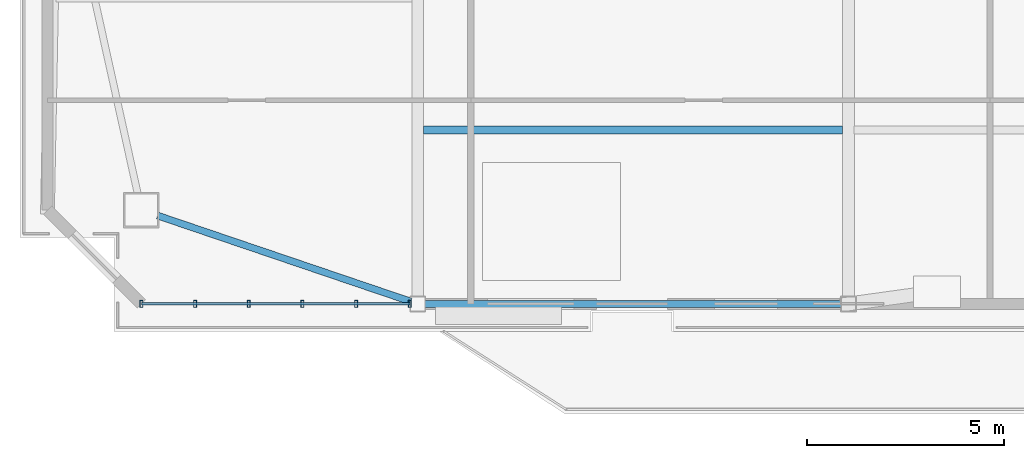
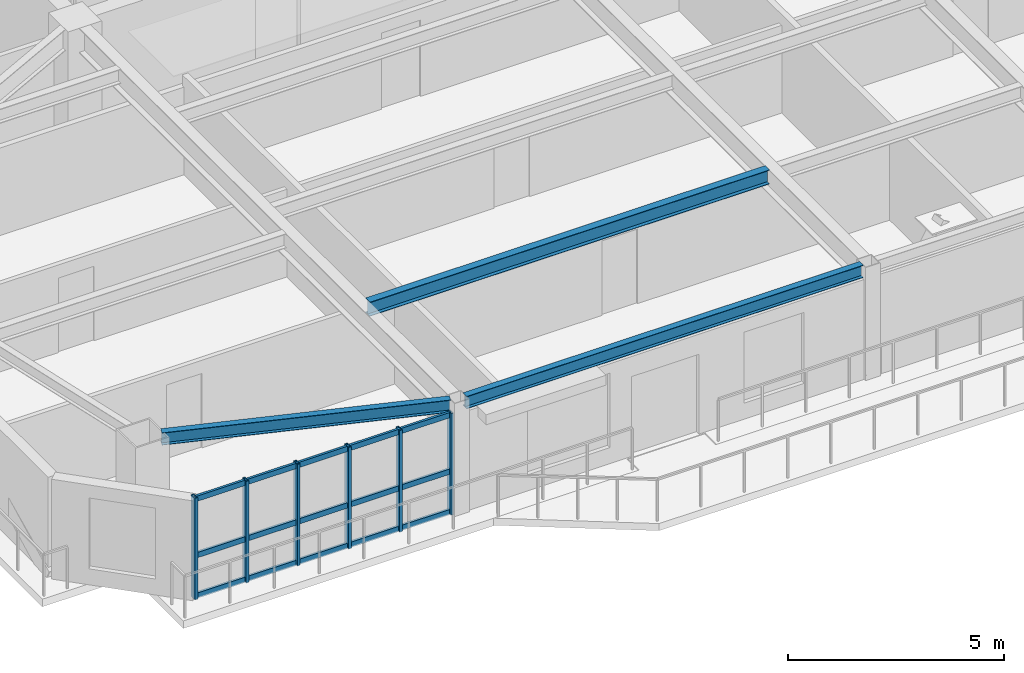
# One storey, part 2 of 13: 9 members, 3 beams, 1 element without a shape of its own.
"""IFC4 building model written with IfcOpenShell, lengths in metres."""

import ifcopenshell
import ifcopenshell.guid

model = None  # the IFC model being written
_history = None  # IfcOwnerHistory: only IFC2X3 demands one
_inside = {}  # id of a spatial element -> (the spatial element, [elements in it])
_under = {}  # id of a project, library or spatial element -> (it, [spatial elements below it])
_declared = {}  # id of a project -> (the project, [libraries it declares])
_typed = {}  # id of a type object -> (the type object, [elements of that type])
_made_of = {}  # id of a material, layer set ... -> (it, [elements and type objects made of it])


def new_model(schema):
    """Start an empty IFC model of exactly this schema.

    Asked for "IFC4X3", IfcOpenShell would pick the latest addendum, in which some entities
    have other attributes; the version numbers below select the first issue.
    IFC2X3 requires an IfcOwnerHistory on every rooted entity: one is made here for all.
    """
    global model, _history
    if schema == "IFC4X3":
        model = ifcopenshell.file(schema_version=(4, 3, 0, 0))
    else:
        model = ifcopenshell.file(schema=schema)
    _inside.clear()
    _under.clear()
    _declared.clear()
    _typed.clear()
    _made_of.clear()
    _history = None
    if model.schema == "IFC2X3":
        org = make("IfcOrganization", Name="unknown")
        user = make(
            "IfcPersonAndOrganization",
            ThePerson=make("IfcPerson", FamilyName="unknown"),
            TheOrganization=org,
        )
        app = make(
            "IfcApplication",
            ApplicationDeveloper=org,
            Version="unknown",
            ApplicationFullName="unknown",
            ApplicationIdentifier="unknown",
        )
        _history = make(
            "IfcOwnerHistory",
            OwningUser=user,
            OwningApplication=app,
            ChangeAction="ADDED",
            CreationDate=0,
        )
    return model


def make(cls, **values):
    """One entity of the class cls with the attributes given. An attribute that is None is left unset."""
    return model.create_entity(
        cls, **{name: value for name, value in values.items() if value is not None}
    )


def rooted(cls, **values):
    """An entity with a GlobalId (a new one), such as an element, a storey or a relation."""
    return make(cls, GlobalId=ifcopenshell.guid.new(), OwnerHistory=_history, **values)


def si_unit(unit_type, name, prefix=None):
    """IfcSIUnit, for example si_unit("LENGTHUNIT", "METRE", prefix="MILLI")."""
    return make("IfcSIUnit", UnitType=unit_type, Prefix=prefix, Name=name)


def assignment(units):
    """IfcUnitAssignment: the units of a project."""
    return None if units is None else make("IfcUnitAssignment", Units=units)


def point(xyz):
    """IfcCartesianPoint."""
    return None if xyz is None else make("IfcCartesianPoint", Coordinates=xyz)


def direction(xyz):
    """IfcDirection."""
    return None if xyz is None else make("IfcDirection", DirectionRatios=xyz)


def frame(location, z_axis=None, x_axis=None):
    """IfcAxis2Placement3D, a coordinate frame: its origin and axes. An axis left out is left unset."""
    return make(
        "IfcAxis2Placement3D",
        Location=point(location),
        Axis=direction(z_axis),
        RefDirection=direction(x_axis),
    )


def frame_2d(location, x_axis=None):
    """IfcAxis2Placement2D, a coordinate frame in the plane: its origin and x axis."""
    return make(
        "IfcAxis2Placement2D", Location=point(location), RefDirection=direction(x_axis)
    )


def origin():
    """The frame at (0, 0, 0) with its axes left unset."""
    return frame((0.0, 0.0, 0.0))


def origin_2d():
    """The frame at (0, 0) in the plane with its x axis left unset."""
    return frame_2d((0.0, 0.0))


def place(relative_to, where):
    """IfcLocalPlacement: puts the frame where relative to a parent placement (None: the world)."""
    return make(
        "IfcLocalPlacement", PlacementRelTo=relative_to, RelativePlacement=where
    )


def context(
    kind, dimensions, precision=None, world=None, true_north=None, identifier=None
):
    """IfcGeometricRepresentationContext, for example the 3D "Model" context."""
    return make(
        "IfcGeometricRepresentationContext",
        ContextIdentifier=identifier,
        ContextType=kind,
        CoordinateSpaceDimension=dimensions,
        Precision=precision,
        WorldCoordinateSystem=world,
        TrueNorth=true_north,
    )


def subcontext(parent, identifier, kind, view, scale=None):
    """IfcGeometricRepresentationSubContext, for example "Body" below "Model"."""
    return make(
        "IfcGeometricRepresentationSubContext",
        ContextIdentifier=identifier,
        ContextType=kind,
        ParentContext=parent,
        TargetScale=scale,
        TargetView=view,
    )


def project(units=None, contexts=None):
    """IfcProject with its units and contexts."""
    return rooted(
        "IfcProject",
        Name="project",
        RepresentationContexts=contexts,
        UnitsInContext=assignment(units),
    )


def spatial(cls, under=None, at=None, **own):
    """A site, building, storey or space (cls), placed at a placement, below another one or the project."""
    s = rooted(cls, ObjectPlacement=at, **own)
    if under is not None:
        _under.setdefault(under.id(), (under, []))[1].append(s)
    return s


def profile(cls, at=None, kind="AREA", **sizes):
    """A parametric profile (cls). Its sizes go by their IFC names, for example OverallWidth=200.0."""
    return make(cls, ProfileType=kind, Position=at, **sizes)


def hollow_rectangle(**sizes):
    """IfcRectangleHollowProfileDef."""
    return profile("IfcRectangleHollowProfileDef", **sizes)


def i_section(**sizes):
    """IfcIShapeProfileDef."""
    return profile("IfcIShapeProfileDef", **sizes)


def extrude(swept, where, along, depth):
    """IfcExtrudedAreaSolid: the profile swept, set in the frame where, extruded along a direction by depth."""
    return make(
        "IfcExtrudedAreaSolid",
        SweptArea=swept,
        Position=where,
        ExtrudedDirection=direction(along),
        Depth=depth,
    )


def shape(context_of_items, identifier, shape_type, items):
    """IfcShapeRepresentation: the items that make up one representation, for example the "Body"."""
    return make(
        "IfcShapeRepresentation",
        ContextOfItems=context_of_items,
        RepresentationIdentifier=identifier,
        RepresentationType=shape_type,
        Items=items,
    )


def source(mapping_origin, context_of_items, identifier, shape_type, items):
    """IfcRepresentationMap: a shape defined once, which mapped items show again and again."""
    return make(
        "IfcRepresentationMap",
        MappingOrigin=mapping_origin,
        MappedRepresentation=shape(context_of_items, identifier, shape_type, items),
    )


def transform(
    local_origin,
    x_axis=None,
    y_axis=None,
    z_axis=None,
    scale=None,
    scale2=None,
    scale3=None,
    uniform=True,
):
    """IfcCartesianTransformationOperator3D, or its non-uniform kind. x_axis, y_axis, z_axis: its Axis1, 2, 3."""
    if uniform:
        return make(
            "IfcCartesianTransformationOperator3D",
            Axis1=direction(x_axis),
            Axis2=direction(y_axis),
            LocalOrigin=point(local_origin),
            Scale=scale,
            Axis3=direction(z_axis),
        )
    return make(
        "IfcCartesianTransformationOperator3DnonUniform",
        Axis1=direction(x_axis),
        Axis2=direction(y_axis),
        LocalOrigin=point(local_origin),
        Scale=scale,
        Axis3=direction(z_axis),
        Scale2=scale2,
        Scale3=scale3,
    )


def mapped(mapping_source, mapping_target):
    """IfcMappedItem: shows the shape of a source again, moved by a transform."""
    return make(
        "IfcMappedItem", MappingSource=mapping_source, MappingTarget=mapping_target
    )


def material(Name=None, Category=None):
    """IfcMaterial."""
    return make("IfcMaterial", Name=Name, Category=Category)


def layer(
    of_material, thickness, ventilated=None, Name=None, Category=None, Priority=None
):
    """IfcMaterialLayer: one layer of a wall or slab, of a material (None: an air gap)."""
    return make(
        "IfcMaterialLayer",
        Material=of_material,
        LayerThickness=thickness,
        IsVentilated=ventilated,
        Name=Name,
        Category=Category,
        Priority=Priority,
    )


def layer_set(layers, Name=None):
    """IfcMaterialLayerSet."""
    return make("IfcMaterialLayerSet", MaterialLayers=layers, LayerSetName=Name)


def material_profile(
    of_material, cross_section, Name=None, Category=None, Priority=None
):
    """IfcMaterialProfile: a cross section and its material."""
    return make(
        "IfcMaterialProfile",
        Name=Name,
        Material=of_material,
        Profile=cross_section,
        Priority=Priority,
        Category=Category,
    )


def profile_set(profiles, Name=None, composite=None):
    """IfcMaterialProfileSet."""
    return make(
        "IfcMaterialProfileSet",
        Name=Name,
        MaterialProfiles=profiles,
        CompositeProfile=composite,
    )


def made_of(thing, what):
    """Note that an element or type object is made of a material, layer set ...; save() writes the relation."""
    if what is not None:
        _made_of.setdefault(what.id(), (what, []))[1].append(thing)
    return thing


def type_object(cls, material=None, **own):
    """A type object (cls), such as IfcWallType, which elements share."""
    return made_of(rooted(cls, **own), material)


def element(
    cls,
    number,
    at=None,
    inside=None,
    cuts=None,
    type_object=None,
    material=None,
    context=None,
    identifier="Body",
    shape_type=None,
    held_by="IfcProductDefinitionShape",
    body=None,
    shapes=None,
    **own,
):
    """One element of the class cls, such as IfcWall. Its Tag is "e" and its number.

    at: its placement. inside: the storey or other place that contains it. cuts: it is an
    opening in that element (IfcRelVoidsElement). A single representation is given by context,
    identifier, shape_type and body (its items); several are given by shapes. held_by: the class
    of the entity that holds the representations. save() writes the other relations.
    """
    e = rooted(cls, Tag="e%d" % number, ObjectPlacement=at, **own)
    if body is not None:
        shapes = [shape(context, identifier, shape_type, body)]
    if shapes is not None:
        e.Representation = make(held_by, Representations=shapes)
    if inside is not None:
        _inside.setdefault(inside.id(), (inside, []))[1].append(e)
    if cuts is not None:
        rooted(
            "IfcRelVoidsElement", RelatingBuildingElement=cuts, RelatedOpeningElement=e
        )
    if type_object is not None:
        _typed.setdefault(type_object.id(), (type_object, []))[1].append(e)
    return made_of(e, material)


def aggregate(whole, parts):
    """IfcRelAggregates: a whole, such as a stair, and the parts it consists of."""
    return rooted("IfcRelAggregates", RelatingObject=whole, RelatedObjects=parts)


def save(model, path):
    """Write the relations noted so far, then the file.

    IfcRelAggregates (storeys below a building ...), IfcRelContainedInSpatialStructure (elements
    in a storey), IfcRelDefinesByType, IfcRelAssociatesMaterial and IfcRelDeclares: one each for
    every whole, place, type object, material and project.
    """
    for whole, parts in _under.values():
        aggregate(whole, parts)
    for where, things in _inside.values():
        rooted(
            "IfcRelContainedInSpatialStructure",
            RelatedElements=things,
            RelatingStructure=where,
        )
    for kind, things in _typed.values():
        rooted("IfcRelDefinesByType", RelatedObjects=things, RelatingType=kind)
    for what, things in _made_of.values():
        rooted("IfcRelAssociatesMaterial", RelatedObjects=things, RelatingMaterial=what)
    for by, libraries in _declared.values():
        rooted("IfcRelDeclares", RelatingContext=by, RelatedDefinitions=libraries)
    model.write(path)


model = new_model("IFC4")

# Units and contexts
model_context = context("Model", 3, precision=1e-05, world=origin(), true_north=direction((0.0, 1.0)))
body_context = subcontext(model_context, "Body", "Model", "MODEL_VIEW")
ifc_project = project(units=[si_unit("LENGTHUNIT", "METRE"), si_unit("AREAUNIT", "SQUARE_METRE"), si_unit("VOLUMEUNIT", "CUBIC_METRE"), si_unit("PLANEANGLEUNIT", "RADIAN"), si_unit("MASSUNIT", "GRAM", prefix="KILO")], contexts=[model_context])

# Site, building, storey
site_placement = place(None, origin())
site = spatial("IfcSite", under=ifc_project, at=site_placement, CompositionType="ELEMENT")
building_placement = place(site_placement, origin())
building = spatial("IfcBuilding", under=site, at=building_placement, Name="Giltprow Tower", CompositionType="ELEMENT")
storey_placement = place(building_placement, frame((0.0, 0.0, 304.0)))
storey = spatial("IfcBuildingStorey", under=building, at=storey_placement, Name="L78", CompositionType="ELEMENT", Elevation=304.0)

# Beams
ifc_material_1 = material(Name="Structural steel Q355B", Category="steel")
ifc_material_profile_1 = material_profile(ifc_material_1, i_section(OverallWidth=0.199951171875, OverallDepth=0.39990234375, WebThickness=0.008056640625, FlangeThickness=0.012939453125, at=origin_2d()), Name="HN 400x200x8x13")
ifc_profile_set_1 = profile_set([ifc_material_profile_1], Name="Structural steel Q355B")
beam_type_1 = type_object("IfcBeamType", Name="BM-JOIST-HN400", PredefinedType="JOIST", material=ifc_profile_set_1)
shared_shape_1 = source(origin(), body_context, "Body", "SweptSolid", [
    extrude(i_section(OverallWidth=0.199951171875, OverallDepth=0.39990234375, WebThickness=0.008056640625, FlangeThickness=0.012939453125, at=origin_2d()), origin(), (0.0, 0.0, 1.0), 10.659912109375),
])
beam_1_placement = place(storey_placement, frame((19.9951171875, 24.19091796875, 2.985107421875), z_axis=(1.0, 0.0, 0.0), x_axis=(0.0, 1.0, 0.0)))
element("IfcBeam", 1, at=beam_1_placement, inside=storey, type_object=beam_type_1, Name="L78 Composite Floor Joist 1-1", PredefinedType="JOIST", context=body_context, shape_type="MappedRepresentation", body=[
    mapped(shared_shape_1, transform((0.0, 0.0, 0.0), x_axis=(1.0, 0.0, 0.0), y_axis=(0.0, 1.0, 0.0), z_axis=(0.0, 0.0, 1.0), scale=1.0)),
])
ifc_material_profile_2 = material_profile(ifc_material_1, i_section(OverallWidth=0.175048828125, OverallDepth=0.35009765625, WebThickness=0.007080078125, FlangeThickness=0.010986328125, at=origin_2d()), Name="HN 350x175x7x11")
ifc_profile_set_2 = profile_set([ifc_material_profile_2], Name="Structural steel Q355B")
beam_type_2 = type_object("IfcBeamType", Name="BM-SPAN-HN350", PredefinedType="SPANDREL", material=ifc_profile_set_2)
shared_shape_2 = source(origin(), body_context, "Body", "SweptSolid", [
    extrude(i_section(OverallWidth=0.175048828125, OverallDepth=0.35009765625, WebThickness=0.007080078125, FlangeThickness=0.010986328125, at=origin_2d()), origin(), (0.0, 0.0, 1.0), 6.799072265625),
])
beam_2_placement = place(storey_placement, frame((13.237060546875, 22.01708984375, 3.010009765625), z_axis=(0.946901804607, -0.321522895656, 0.0), x_axis=(0.321522895656, 0.946901804607, 0.0)))
element("IfcBeam", 2, at=beam_2_placement, inside=storey, type_object=beam_type_2, Name="L78 Perimeter Spandrel Beam MC_SW-S1", PredefinedType="SPANDREL", context=body_context, shape_type="MappedRepresentation", body=[
    mapped(shared_shape_2, transform((0.0, 0.0, 0.0), x_axis=(1.0, 0.0, 0.0), y_axis=(0.0, 1.0, 0.0), z_axis=(0.0, 0.0, 1.0), scale=1.0)),
])
shared_shape_3 = source(origin(), body_context, "Body", "SweptSolid", [
    extrude(i_section(OverallWidth=0.175048828125, OverallDepth=0.35009765625, WebThickness=0.007080078125, FlangeThickness=0.010986328125, at=origin_2d()), origin(), (0.0, 0.0, 1.0), 10.580078125),
])
beam_3_placement = place(storey_placement, frame((20.034912109375, 19.77197265625, 3.010009765625), z_axis=(1.0, 0.0, 0.0), x_axis=(0.0, 1.0, 0.0)))
element("IfcBeam", 3, at=beam_3_placement, inside=storey, type_object=beam_type_2, Name="L78 Perimeter Spandrel Beam S1-S2", PredefinedType="SPANDREL", context=body_context, shape_type="MappedRepresentation", body=[
    mapped(shared_shape_3, transform((0.0, 0.0, 0.0), x_axis=(1.0, 0.0, 0.0), y_axis=(0.0, 1.0, 0.0), z_axis=(0.0, 0.0, 1.0), scale=1.0)),
])

# Curtain wall, members
ifc_material_2 = material(Name="Anodized bronze", Category="metal")
ifc_layer = layer(ifc_material_2, 0.179931640625, Name="Anodized bronze")
ifc_layer_set = layer_set([ifc_layer], Name="Anodized bronze")
curtain_wall_type = type_object("IfcCurtainWallType", Name="CW-RES-SKY", PredefinedType="NOTDEFINED", material=ifc_layer_set)
curtain_wall_placement = place(storey_placement, origin())
curtain_wall = element("IfcCurtainWall", 4, at=curtain_wall_placement, inside=storey, type_object=curtain_wall_type, Name="L78 South Recessed Curtain Wall 1", PredefinedType="NOTDEFINED")
ifc_material_profile_3 = material_profile(ifc_material_2, hollow_rectangle(XDim=0.074951171875, YDim=0.179931640625, WallThickness=0.008056640625, at=origin_2d()), Name="RHS 180x75x8")
ifc_profile_set_3 = profile_set([ifc_material_profile_3], Name="Anodized bronze")
member_type_1 = type_object("IfcMemberType", Name="CW-MULLION-180x75", PredefinedType="MULLION", material=ifc_profile_set_3)
shared_shape_4 = source(origin(), body_context, "Body", "SweptSolid", [
    extrude(hollow_rectangle(XDim=0.074951171875, YDim=0.179931640625, WallThickness=0.008056640625, at=origin_2d()), origin(), (0.0, 0.0, 1.0), 2.8701171875),
])
member_1_placement = place(storey_placement, frame((12.824951171875, 19.77197265625, -0.02001953125), z_axis=(0.0, 0.0, 1.0), x_axis=(1.0, 0.0, 0.0)))
member_1 = element("IfcMember", 5, at=member_1_placement, type_object=member_type_1, Name="L78 South Recessed Curtain Wall 1 Mullion 1", PredefinedType="MULLION", context=body_context, shape_type="MappedRepresentation", body=[
    mapped(shared_shape_4, transform((0.0, 0.0, 0.0), x_axis=(1.0, 0.0, 0.0), y_axis=(0.0, 1.0, 0.0), z_axis=(0.0, 0.0, 1.0), scale=1.0)),
])
member_2_placement = place(storey_placement, frame((14.18994140625, 19.77197265625, -0.02001953125), z_axis=(0.0, 0.0, 1.0), x_axis=(1.0, 0.0, 0.0)))
member_2 = element("IfcMember", 6, at=member_2_placement, type_object=member_type_1, Name="L78 South Recessed Curtain Wall 1 Mullion 2", PredefinedType="MULLION", context=body_context, shape_type="MappedRepresentation", body=[
    mapped(shared_shape_4, transform((0.0, 0.0, 0.0), x_axis=(1.0, 0.0, 0.0), y_axis=(0.0, 1.0, 0.0), z_axis=(0.0, 0.0, 1.0), scale=1.0)),
])
member_3_placement = place(storey_placement, frame((15.554931640625, 19.77197265625, -0.02001953125), z_axis=(0.0, 0.0, 1.0), x_axis=(1.0, 0.0, 0.0)))
member_3 = element("IfcMember", 7, at=member_3_placement, type_object=member_type_1, Name="L78 South Recessed Curtain Wall 1 Mullion 3", PredefinedType="MULLION", context=body_context, shape_type="MappedRepresentation", body=[
    mapped(shared_shape_4, transform((0.0, 0.0, 0.0), x_axis=(1.0, 0.0, 0.0), y_axis=(0.0, 1.0, 0.0), z_axis=(0.0, 0.0, 1.0), scale=1.0)),
])
member_4_placement = place(storey_placement, frame((16.919921875, 19.77197265625, -0.02001953125), z_axis=(0.0, 0.0, 1.0), x_axis=(1.0, 0.0, 0.0)))
member_4 = element("IfcMember", 8, at=member_4_placement, type_object=member_type_1, Name="L78 South Recessed Curtain Wall 1 Mullion 4", PredefinedType="MULLION", context=body_context, shape_type="MappedRepresentation", body=[
    mapped(shared_shape_4, transform((0.0, 0.0, 0.0), x_axis=(1.0, 0.0, 0.0), y_axis=(0.0, 1.0, 0.0), z_axis=(0.0, 0.0, 1.0), scale=1.0)),
])
member_5_placement = place(storey_placement, frame((18.284912109375, 19.77197265625, -0.02001953125), z_axis=(0.0, 0.0, 1.0), x_axis=(1.0, 0.0, 0.0)))
member_5 = element("IfcMember", 9, at=member_5_placement, type_object=member_type_1, Name="L78 South Recessed Curtain Wall 1 Mullion 5", PredefinedType="MULLION", context=body_context, shape_type="MappedRepresentation", body=[
    mapped(shared_shape_4, transform((0.0, 0.0, 0.0), x_axis=(1.0, 0.0, 0.0), y_axis=(0.0, 1.0, 0.0), z_axis=(0.0, 0.0, 1.0), scale=1.0)),
])
member_6_placement = place(storey_placement, frame((19.64990234375, 19.77197265625, -0.02001953125), z_axis=(0.0, 0.0, 1.0), x_axis=(1.0, 0.0, 0.0)))
member_6 = element("IfcMember", 10, at=member_6_placement, type_object=member_type_1, Name="L78 South Recessed Curtain Wall 1 Mullion 6", PredefinedType="MULLION", context=body_context, shape_type="MappedRepresentation", body=[
    mapped(shared_shape_4, transform((0.0, 0.0, 0.0), x_axis=(1.0, 0.0, 0.0), y_axis=(0.0, 1.0, 0.0), z_axis=(0.0, 0.0, 1.0), scale=1.0)),
])
ifc_material_profile_4 = material_profile(ifc_material_2, hollow_rectangle(XDim=0.06494140625, YDim=0.14990234375, WallThickness=0.006103515625, at=origin_2d()), Name="RHS 150x65x6")
ifc_profile_set_4 = profile_set([ifc_material_profile_4], Name="Anodized bronze")
member_type_2 = type_object("IfcMemberType", Name="CW-TRANSOM-150x65", PredefinedType="USERDEFINED", material=ifc_profile_set_4)
shared_shape_5 = source(origin(), body_context, "Body", "SweptSolid", [
    extrude(hollow_rectangle(XDim=0.06494140625, YDim=0.14990234375, WallThickness=0.006103515625, at=origin_2d()), origin(), (0.0, 0.0, 1.0), 6.824951171875),
])
member_7_placement = place(storey_placement, frame((12.824951171875, 19.77197265625, 0.0400390625), z_axis=(1.0, 0.0, 0.0), x_axis=(0.0, 1.0, 0.0)))
member_7 = element("IfcMember", 11, at=member_7_placement, type_object=member_type_2, Name="L78 South Recessed Curtain Wall 1 Transom 1", ObjectType="TRANSOM", PredefinedType="USERDEFINED", context=body_context, shape_type="MappedRepresentation", body=[
    mapped(shared_shape_5, transform((0.0, 0.0, 0.0), x_axis=(1.0, 0.0, 0.0), y_axis=(0.0, 1.0, 0.0), z_axis=(0.0, 0.0, 1.0), scale=1.0)),
])
member_8_placement = place(storey_placement, frame((12.824951171875, 19.77197265625, 1.181884765625), z_axis=(1.0, 0.0, 0.0), x_axis=(0.0, 1.0, 0.0)))
member_8 = element("IfcMember", 12, at=member_8_placement, type_object=member_type_2, Name="L78 South Recessed Curtain Wall 1 Transom 2", ObjectType="TRANSOM", PredefinedType="USERDEFINED", context=body_context, shape_type="MappedRepresentation", body=[
    mapped(shared_shape_5, transform((0.0, 0.0, 0.0), x_axis=(1.0, 0.0, 0.0), y_axis=(0.0, 1.0, 0.0), z_axis=(0.0, 0.0, 1.0), scale=1.0)),
])
member_9_placement = place(storey_placement, frame((12.824951171875, 19.77197265625, 2.77490234375), z_axis=(1.0, 0.0, 0.0), x_axis=(0.0, 1.0, 0.0)))
member_9 = element("IfcMember", 13, at=member_9_placement, type_object=member_type_2, Name="L78 South Recessed Curtain Wall 1 Transom 3", ObjectType="TRANSOM", PredefinedType="USERDEFINED", context=body_context, shape_type="MappedRepresentation", body=[
    mapped(shared_shape_5, transform((0.0, 0.0, 0.0), x_axis=(1.0, 0.0, 0.0), y_axis=(0.0, 1.0, 0.0), z_axis=(0.0, 0.0, 1.0), scale=1.0)),
])
aggregate(curtain_wall, [member_1, member_2, member_3, member_4, member_5, member_6, member_7, member_8, member_9])

save(model, "model.ifc")
